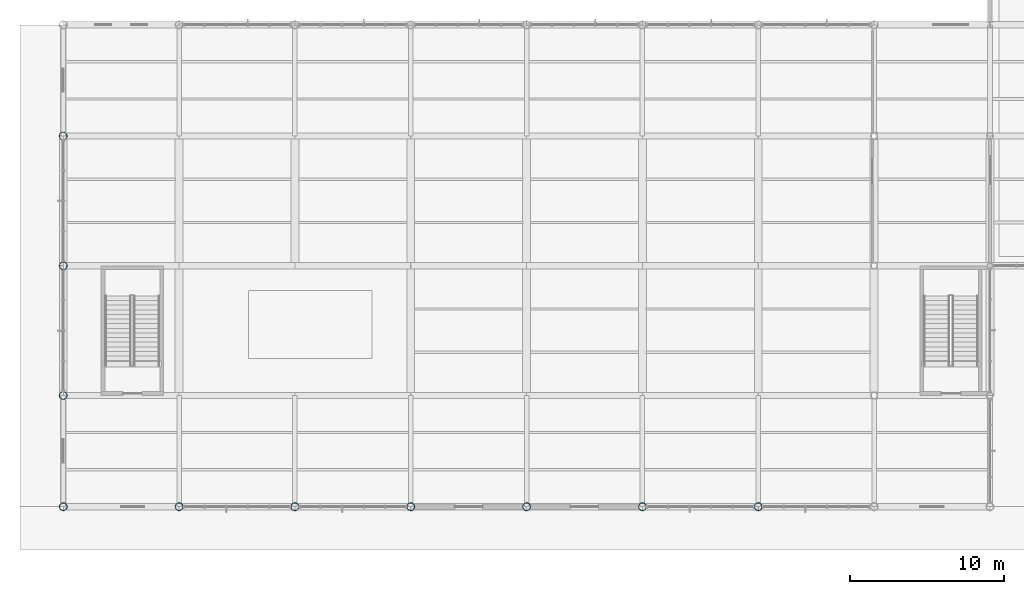
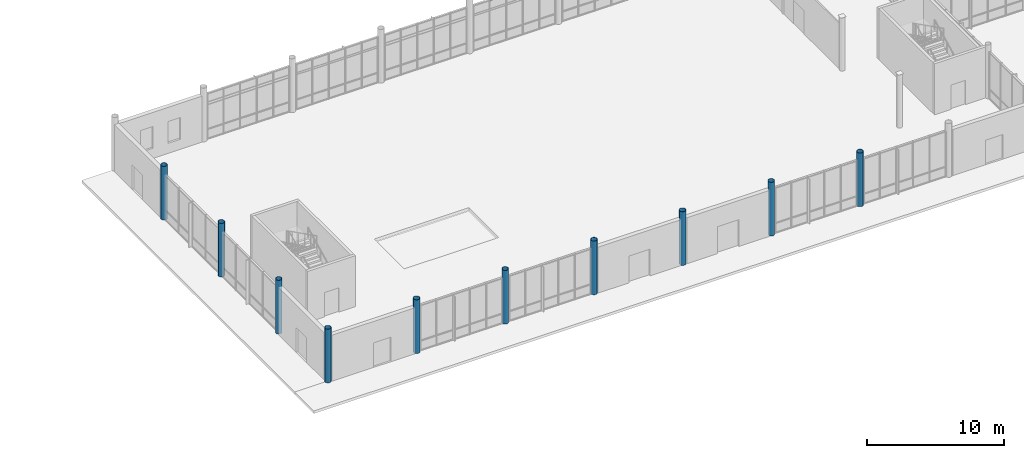
# One storey, part 1 of 82: 10 columns.
"""IFC4 building model written with IfcOpenShell, lengths in metres."""

from ifc_helpers import new_model, si_unit, direction, frame, origin, origin_2d, place, context, subcontext, project, spatial, hollow_circle, extrude, material, material_profile, profile_set, type_object, element, save


model = new_model("IFC4")

# Units and contexts
model_context = context("Model", 3, precision=1e-05, world=origin(), true_north=direction((0.0, 1.0)))
body_context = subcontext(model_context, "Body", "Model", "MODEL_VIEW")
ifc_project = project(units=[si_unit("LENGTHUNIT", "METRE"), si_unit("AREAUNIT", "SQUARE_METRE"), si_unit("VOLUMEUNIT", "CUBIC_METRE"), si_unit("PLANEANGLEUNIT", "RADIAN"), si_unit("MASSUNIT", "GRAM", prefix="KILO")], contexts=[model_context])

# Site, building, storey
site_placement = place(None, origin())
site = spatial("IfcSite", under=ifc_project, at=site_placement, CompositionType="ELEMENT")
building_placement = place(site_placement, origin())
building = spatial("IfcBuilding", under=site, at=building_placement, Name="Yukiwa Park Conservatory and Herbarium", CompositionType="ELEMENT")
storey_placement = place(building_placement, origin())
storey = spatial("IfcBuildingStorey", under=building, at=storey_placement, Name="L00", CompositionType="ELEMENT", Elevation=0.0)

# Columns
ifc_material = material(Name="Steel Q355D", Category="steel")
ifc_material_profile = material_profile(ifc_material, hollow_circle(Radius=0.25390625, WallThickness=0.01611328125, at=origin_2d()), Name="CHS 508x16")
ifc_profile_set = profile_set([ifc_material_profile], Name="Steel Q355D")
column_type = type_object("IfcColumnType", Name="COL-CV-CHS508", PredefinedType="COLUMN", material=ifc_profile_set)
for number, where, z_axis, x_axis, name in (
    (1, (0.0, 0.0, 0.0), (0.0, 0.0, 1.0), (1.0, 0.0, 0.0), "L00 column V1-X0-Y0"),
    (2, (0.0, 7.199951171875, 0.0), (0.0, 0.0, 1.0), (1.0, 0.0, 0.0), "L00 column V1-X0-Y72"),
    (3, (0.0, 15.60009765625, 0.0), (0.0, 0.0, 1.0), (1.0, 0.0, 0.0), "L00 column V1-X0-Y156"),
    (4, (0.0, 24.0, 0.0), (0.0, 0.0, 1.0), (1.0, 0.0, 0.0), "L00 column V1-X0-Y240"),
    (5, (7.5, 0.0, 0.0), (0.0, 0.0, 1.0), (1.0, 0.0, 0.0), "L00 column V1-X75-Y0"),
    (6, (15.0, 0.0, 0.0), (0.0, 0.0, 1.0), (1.0, 0.0, 0.0), "L00 column V1-X150-Y0"),
    (7, (22.5, 0.0, 0.0), (0.0, 0.0, 1.0), (1.0, 0.0, 0.0), "L00 column V1-X225-Y0"),
    (8, (30.0, 0.0, 0.0), (0.0, 0.0, 1.0), (1.0, 0.0, 0.0), "L00 column V1-X300-Y0"),
    (9, (37.5, 0.0, 0.0), (0.0, 0.0, 1.0), (1.0, 0.0, 0.0), "L00 column V1-X375-Y0"),
    (10, (45.0, 0.0, 0.0), (0.0, 0.0, 1.0), (1.0, 0.0, 0.0), "L00 column V1-X450-Y0"),
):
    element("IfcColumn", number, at=place(storey_placement, frame(where, z_axis=z_axis, x_axis=x_axis)), inside=storey, type_object=column_type, Name=name, PredefinedType="COLUMN", context=body_context, shape_type="SweptSolid", body=[
        extrude(hollow_circle(Radius=0.25390625, WallThickness=0.01611328125, at=origin_2d()), origin(), (0.0, 0.0, 1.0), 4.800048828125),
    ])

save(model, "model.ifc")
